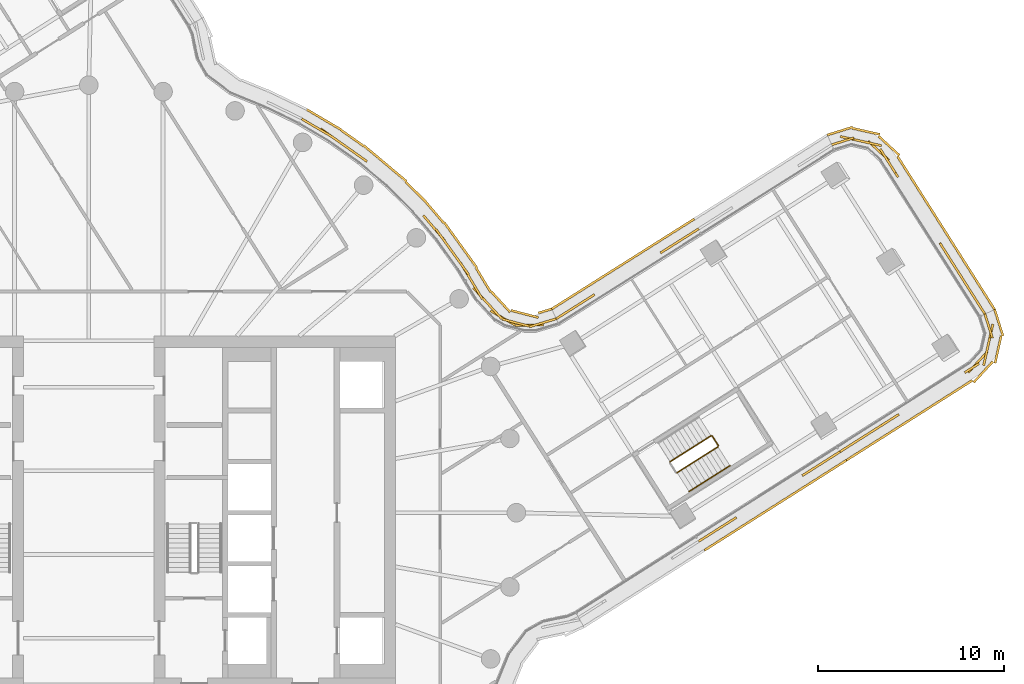
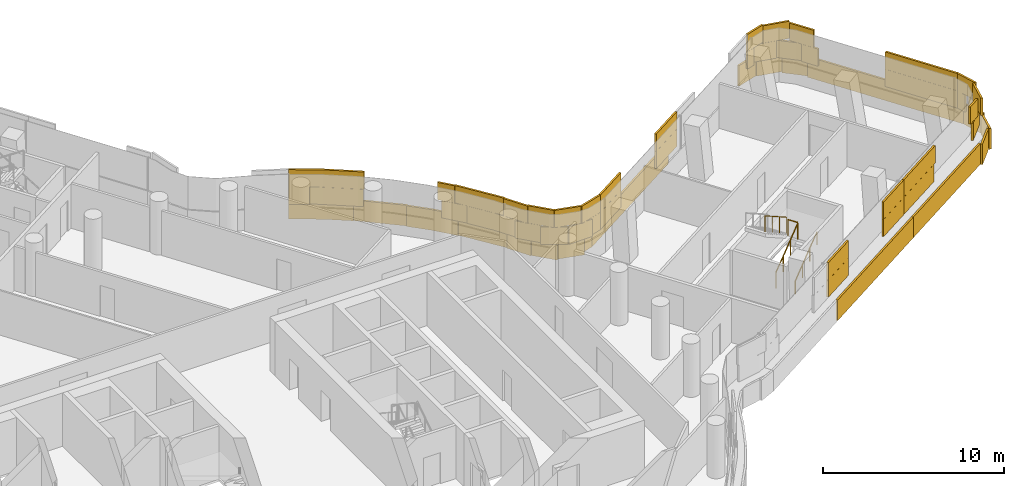
# One storey, part 34 of 36: 5 coverings, 4 railings.
"""IFC4 building model written with IfcOpenShell, lengths in metres."""

from ifc_helpers import new_model, si_unit, direction, frame, origin, origin_2d, place, context, subcontext, project, spatial, rectangle, circle, extrude, material, layer, layer_set, type_object, element, save


model = new_model("IFC4")

# Units and contexts
model_context = context("Model", 3, precision=1e-05, world=origin(), true_north=direction((0.0, 1.0)))
body_context = subcontext(model_context, "Body", "Model", "MODEL_VIEW")
ifc_project = project(units=[si_unit("LENGTHUNIT", "METRE"), si_unit("AREAUNIT", "SQUARE_METRE"), si_unit("VOLUMEUNIT", "CUBIC_METRE"), si_unit("PLANEANGLEUNIT", "RADIAN"), si_unit("MASSUNIT", "GRAM", prefix="KILO")], contexts=[model_context])

# Site, building, storey
site_placement = place(None, origin())
site = spatial("IfcSite", under=ifc_project, at=site_placement, CompositionType="ELEMENT")
building_placement = place(site_placement, origin())
building = spatial("IfcBuilding", under=site, at=building_placement, Name="Tamarind Cross Interchange Tower", CompositionType="ELEMENT")
storey_placement = place(building_placement, frame((0.0, 0.0, 151.75)))
storey = spatial("IfcBuildingStorey", under=building, at=storey_placement, Name="L37", CompositionType="ELEMENT", Elevation=151.75)

# Railings
ifc_material_1 = material(Name="Stair guard")
railing_type_1 = type_object("IfcRailingType", Name="Stair guard", PredefinedType="GUARDRAIL", material=ifc_material_1)
railing_1_placement = place(storey_placement, frame((31.647705078125, 2.15283203125, 0.17041015625)))
element("IfcRailing", 1, at=railing_1_placement, inside=storey, type_object=railing_type_1, Name="L37 ST3 stair guard 1", PredefinedType="GUARDRAIL", context=body_context, shape_type="SweptSolid", body=[
    extrude(circle(Radius=0.02392578125, at=origin_2d()), frame((0.0, 0.0, 1.076171875), z_axis=(0.706212529549, 0.44793019777, 0.548290434928), x_axis=(-0.535617160796, 0.8444609269, 0.0)), (0.0, 0.0, 1.0), 3.10888671875),
    extrude(circle(Radius=0.02099609375, at=origin_2d()), origin(), (0.0, 0.0, 1.0), 1.052001953125),
    extrude(circle(Radius=0.02099609375, at=origin_2d()), frame((0.73193359375, 0.464111328125, 0.568115234375)), (0.0, 0.0, 1.0), 1.052001953125),
    extrude(circle(Radius=0.02099609375, at=origin_2d()), frame((1.463623046875, 0.928466796875, 1.136474609375)), (0.0, 0.0, 1.0), 1.052001953125),
    extrude(circle(Radius=0.02099609375, at=origin_2d()), frame((2.195556640625, 1.392578125, 1.70458984375)), (0.0, 0.0, 1.0), 1.052001953125),
])
railing_2_placement = place(storey_placement, frame((33.858642578125, 3.614501953125, 1.875)))
element("IfcRailing", 2, at=railing_2_placement, inside=storey, type_object=railing_type_1, Name="L37 ST3 stair guard 2", PredefinedType="GUARDRAIL", context=body_context, shape_type="SweptSolid", body=[
    extrude(circle(Radius=0.02392578125, at=origin_2d()), frame((0.0, 0.0, 1.076171875), z_axis=(-0.535584501074, 0.844481641132, 0.0), x_axis=(-0.844481641132, -0.535584501074, 0.0)), (0.0, 0.0, 1.0), 0.599853515625),
    extrude(circle(Radius=0.02099609375, at=origin_2d()), origin(), (0.0, 0.0, 1.0), 1.052001953125),
    extrude(circle(Radius=0.02099609375, at=origin_2d()), frame((-0.3212890625, 0.506591796875, 0.0)), (0.0, 0.0, 1.0), 1.052001953125),
])
railing_3_placement = place(storey_placement, frame((33.46826171875, 4.13671875, 2.04541015625)))
element("IfcRailing", 3, at=railing_3_placement, inside=storey, type_object=railing_type_1, Name="L37 ST3 stair guard 3", PredefinedType="GUARDRAIL", context=body_context, shape_type="SweptSolid", body=[
    extrude(circle(Radius=0.02392578125, at=origin_2d()), frame((0.0, 0.0, 1.076171875), z_axis=(-0.706187687253, -0.447992967394, 0.548271147826), x_axis=(0.535684118618, -0.844418453766, 0.0)), (0.0, 0.0, 1.0), 3.109130859375),
    extrude(circle(Radius=0.02099609375, at=origin_2d()), origin(), (0.0, 0.0, 1.0), 1.052001953125),
    extrude(circle(Radius=0.02099609375, at=origin_2d()), frame((-0.73193359375, -0.46435546875, 0.568115234375)), (0.0, 0.0, 1.0), 1.052001953125),
    extrude(circle(Radius=0.02099609375, at=origin_2d()), frame((-1.463623046875, -0.928466796875, 1.136474609375)), (0.0, 0.0, 1.0), 1.052001953125),
    extrude(circle(Radius=0.02099609375, at=origin_2d()), frame((-2.195556640625, -1.392822265625, 1.70458984375)), (0.0, 0.0, 1.0), 1.052001953125),
])
ifc_material_2 = material(Name="Stair handrail")
railing_type_2 = type_object("IfcRailingType", Name="Stair handrail", PredefinedType="HANDRAIL", material=ifc_material_2)
railing_4_placement = place(storey_placement, frame((32.29052734375, 1.139404296875, 0.17041015625)))
element("IfcRailing", 4, at=railing_4_placement, inside=storey, type_object=railing_type_2, Name="L37 ST3 stair handrail 1", PredefinedType="HANDRAIL", context=body_context, shape_type="SweptSolid", body=[
    extrude(circle(Radius=0.02392578125, at=origin_2d()), frame((0.0, 0.0, 0.8759765625), z_axis=(0.706187687253, 0.447992967394, 0.548271147826), x_axis=(-0.535684118618, 0.844418453766, 0.0)), (0.0, 0.0, 1.0), 3.109130859375),
    extrude(circle(Radius=0.02099609375, at=origin_2d()), origin(), (0.0, 0.0, 1.0), 0.851806640625),
    extrude(circle(Radius=0.02099609375, at=origin_2d()), frame((0.73193359375, 0.46435546875, 0.568115234375)), (0.0, 0.0, 1.0), 0.851806640625),
    extrude(circle(Radius=0.02099609375, at=origin_2d()), frame((1.463623046875, 0.928466796875, 1.136474609375)), (0.0, 0.0, 1.0), 0.851806640625),
    extrude(circle(Radius=0.02099609375, at=origin_2d()), frame((2.195556640625, 1.392822265625, 1.70458984375)), (0.0, 0.0, 1.0), 0.851806640625),
])

# Coverings
ifc_material_3 = material(Name="Terracotta", Category="masonry")
ifc_layer = layer(ifc_material_3, 0.1201171875)
ifc_layer_set = layer_set([ifc_layer], Name="Terracotta")
covering_type = type_object("IfcCoveringType", Name="Terracotta baguette screen unit", PredefinedType="MOLDING", material=ifc_layer_set)
covering_1_placement = place(storey_placement, origin())
element("IfcCovering", 5, at=covering_1_placement, inside=storey, type_object=covering_type, Name="SCR-L37-11-01", PredefinedType="MOLDING", context=body_context, shape_type="SweptSolid", body=[
    extrude(rectangle(XDim=0.61279296875, YDim=0.1201171875, at=origin_2d()), frame((33.060791015625, -1.3798828125, 1.404052734375), z_axis=(0.0, 0.0, 1.0), x_axis=(0.844432651118, 0.535661738157, 0.0)), (0.0, 0.0, 1.0), 1.1669921875),
    extrude(rectangle(XDim=1.52001953125, YDim=0.1201171875, at=origin_2d()), frame((33.94873046875, -0.816650390625, 1.404052734375), z_axis=(0.0, 0.0, 1.0), x_axis=(0.844432651118, 0.535661738157, 0.0)), (0.0, 0.0, 1.0), 1.1669921875),
    extrude(rectangle(XDim=0.310302734375, YDim=0.1201171875, at=origin_2d()), frame((34.708740234375, -0.33447265625, 1.404052734375), z_axis=(0.0, 0.0, 1.0), x_axis=(0.844432651118, 0.535661738157, 0.0)), (0.0, 0.0, 1.0), 1.1669921875),
    extrude(rectangle(XDim=1.509765625, YDim=0.1201171875, at=origin_2d()), frame((39.015380859375, 2.3974609375, 1.404052734375), z_axis=(0.0, 0.0, 1.0), x_axis=(0.844432651118, 0.535661738157, 0.0)), (0.0, 0.0, 1.0), 1.1669921875),
    extrude(rectangle(XDim=0.91357421875, YDim=0.1201171875, at=origin_2d()), frame((40.030029296875, 3.041015625, 1.404052734375), z_axis=(0.0, 0.0, 1.0), x_axis=(0.844432651118, 0.535661738157, 0.0)), (0.0, 0.0, 1.0), 1.1669921875),
    extrude(rectangle(XDim=1.36279296875, YDim=0.1201171875, at=origin_2d()), frame((33.37744140625, -1.178955078125, 2.5791015625), z_axis=(0.0, 0.0, 1.0), x_axis=(0.844432651118, 0.535661738157, 0.0)), (0.0, 0.0, 1.0), 1.1669921875),
    extrude(rectangle(XDim=1.060302734375, YDim=0.1201171875, at=origin_2d()), frame((34.39208984375, -0.535400390625, 2.5791015625), z_axis=(0.0, 0.0, 1.0), x_axis=(0.844432651118, 0.535661738157, 0.0)), (0.0, 0.0, 1.0), 1.1669921875),
    extrude(rectangle(XDim=0.759765625, YDim=0.1201171875, at=origin_2d()), frame((38.69873046875, 2.196533203125, 2.5791015625), z_axis=(0.0, 0.0, 1.0), x_axis=(0.844432651118, 0.535661738157, 0.0)), (0.0, 0.0, 1.0), 1.1669921875),
    extrude(rectangle(XDim=1.52001953125, YDim=0.1201171875, at=origin_2d()), frame((39.6484375, 2.799072265625, 2.5791015625), z_axis=(0.0, 0.0, 1.0), x_axis=(0.844432651118, 0.535661738157, 0.0)), (0.0, 0.0, 1.0), 1.1669921875),
    extrude(rectangle(XDim=0.16357421875, YDim=0.1201171875, at=origin_2d()), frame((40.3466796875, 3.241943359375, 2.5791015625), z_axis=(0.0, 0.0, 1.0), x_axis=(0.844432651118, 0.535661738157, 0.0)), (0.0, 0.0, 1.0), 1.1669921875),
    extrude(rectangle(XDim=0.578369140625, YDim=0.1201171875, at=origin_2d()), frame((33.355224609375, -1.872802734375, 0.00390625), z_axis=(0.0, 0.0, 1.0), x_axis=(0.844432651118, 0.535661738157, 0.0)), (0.0, 0.0, 1.0), 1.39208984375),
    extrude(rectangle(XDim=1.52001953125, YDim=0.1201171875, at=origin_2d()), frame((34.224365234375, -1.321533203125, 0.00390625), z_axis=(0.0, 0.0, 1.0), x_axis=(0.844432651118, 0.535661738157, 0.0)), (0.0, 0.0, 1.0), 1.39208984375),
    extrude(rectangle(XDim=1.52001953125, YDim=0.1201171875, at=origin_2d()), frame((35.490966796875, -0.51806640625, 0.00390625), z_axis=(0.0, 0.0, 1.0), x_axis=(0.844432651118, 0.535661738157, 0.0)), (0.0, 0.0, 1.0), 1.39208984375),
    extrude(rectangle(XDim=1.52001953125, YDim=0.1201171875, at=origin_2d()), frame((36.757568359375, 0.285400390625, 0.00390625), z_axis=(0.0, 0.0, 1.0), x_axis=(0.844432651118, 0.535661738157, 0.0)), (0.0, 0.0, 1.0), 1.39208984375),
    extrude(rectangle(XDim=1.52001953125, YDim=0.1201171875, at=origin_2d()), frame((38.024169921875, 1.089111328125, 0.00390625), z_axis=(0.0, 0.0, 1.0), x_axis=(0.844432651118, 0.535661738157, 0.0)), (0.0, 0.0, 1.0), 1.39208984375),
    extrude(rectangle(XDim=1.52001953125, YDim=0.1201171875, at=origin_2d()), frame((39.291015625, 1.892578125, 0.00390625), z_axis=(0.0, 0.0, 1.0), x_axis=(0.844432651118, 0.535661738157, 0.0)), (0.0, 0.0, 1.0), 1.39208984375),
    extrude(rectangle(XDim=0.988525390625, YDim=0.1201171875, at=origin_2d()), frame((40.333251953125, 2.5537109375, 0.00390625), z_axis=(0.0, 0.0, 1.0), x_axis=(0.844432651118, 0.535661738157, 0.0)), (0.0, 0.0, 1.0), 1.39208984375),
])
covering_2_placement = place(storey_placement, origin())
element("IfcCovering", 6, at=covering_2_placement, inside=storey, type_object=covering_type, Name="SCR-L37-11-02", PredefinedType="MOLDING", context=body_context, shape_type="SweptSolid", body=[
    extrude(rectangle(XDim=0.6064453125, YDim=0.1201171875, at=origin_2d()), frame((40.663330078125, 3.44287109375, 1.404052734375), z_axis=(0.0, 0.0, 1.0), x_axis=(0.844432651118, 0.535661738157, 0.0)), (0.0, 0.0, 1.0), 1.1669921875),
    extrude(rectangle(XDim=1.52001953125, YDim=0.1201171875, at=origin_2d()), frame((41.548583984375, 4.00439453125, 1.404052734375), z_axis=(0.0, 0.0, 1.0), x_axis=(0.844432651118, 0.535661738157, 0.0)), (0.0, 0.0, 1.0), 1.1669921875),
    extrude(rectangle(XDim=1.52001953125, YDim=0.1201171875, at=origin_2d()), frame((42.815185546875, 4.807861328125, 1.404052734375), z_axis=(0.0, 0.0, 1.0), x_axis=(0.844432651118, 0.535661738157, 0.0)), (0.0, 0.0, 1.0), 1.1669921875),
    extrude(rectangle(XDim=1.52001953125, YDim=0.1201171875, at=origin_2d()), frame((47.818115234375, 8.09814453125, 1.404052734375), z_axis=(0.0, 0.0, 1.0), x_axis=(0.677019846709, 0.735964759457, 0.0)), (0.0, 0.0, 1.0), 1.1669921875),
    extrude(rectangle(XDim=1.52001953125, YDim=0.1201171875, at=origin_2d()), frame((48.462158203125, 9.396240234375, 1.404052734375), z_axis=(0.0, 0.0, 1.0), x_axis=(0.218334006388, 0.975874101334, 0.0)), (0.0, 0.0, 1.0), 1.1669921875),
    extrude(rectangle(XDim=0.605224609375, YDim=0.1201171875, at=origin_2d()), frame((48.290771484375, 10.40185546875, 1.404052734375), z_axis=(0.0, 0.0, 1.0), x_axis=(-0.298854254625, 0.954298765844, 0.0)), (0.0, 0.0, 1.0), 1.1669921875),
    extrude(rectangle(XDim=1.3564453125, YDim=0.1201171875, at=origin_2d()), frame((40.97998046875, 3.643798828125, 2.5791015625), z_axis=(0.0, 0.0, 1.0), x_axis=(0.844432651118, 0.535661738157, 0.0)), (0.0, 0.0, 1.0), 1.1669921875),
    extrude(rectangle(XDim=1.52001953125, YDim=0.1201171875, at=origin_2d()), frame((42.181884765625, 4.406005859375, 2.5791015625), z_axis=(0.0, 0.0, 1.0), x_axis=(0.844432651118, 0.535661738157, 0.0)), (0.0, 0.0, 1.0), 1.1669921875),
    extrude(rectangle(XDim=0.909423828125, YDim=0.1201171875, at=origin_2d()), frame((43.19482421875, 5.048583984375, 2.5791015625), z_axis=(0.0, 0.0, 1.0), x_axis=(0.844432651118, 0.535661738157, 0.0)), (0.0, 0.0, 1.0), 1.1669921875),
    extrude(rectangle(XDim=0.91064453125, YDim=0.1201171875, at=origin_2d()), frame((47.50146484375, 7.780517578125, 2.5791015625), z_axis=(0.0, 0.0, 1.0), x_axis=(0.844432651118, 0.535661738157, 0.0)), (0.0, 0.0, 1.0), 1.1669921875),
    extrude(rectangle(XDim=1.52001953125, YDim=0.1201171875, at=origin_2d()), frame((48.29833984375, 8.664306640625, 2.5791015625), z_axis=(0.0, 0.0, 1.0), x_axis=(0.218334006388, 0.975874101334, 0.0)), (0.0, 0.0, 1.0), 1.1669921875),
    extrude(rectangle(XDim=1.355224609375, YDim=0.1201171875, at=origin_2d()), frame((48.40283203125, 10.0439453125, 2.5791015625), z_axis=(0.0, 0.0, 1.0), x_axis=(-0.298854254625, 0.954298765844, 0.0)), (0.0, 0.0, 1.0), 1.1669921875),
    extrude(rectangle(XDim=0.531494140625, YDim=0.1201171875, at=origin_2d()), frame((40.974853515625, 2.960693359375, 0.00390625), z_axis=(0.0, 0.0, 1.0), x_axis=(0.844432651118, 0.535661738157, 0.0)), (0.0, 0.0, 1.0), 1.39208984375),
    extrude(rectangle(XDim=1.52001953125, YDim=0.1201171875, at=origin_2d()), frame((41.82421875, 3.49951171875, 0.00390625), z_axis=(0.0, 0.0, 1.0), x_axis=(0.844432651118, 0.535661738157, 0.0)), (0.0, 0.0, 1.0), 1.39208984375),
    extrude(rectangle(XDim=1.52001953125, YDim=0.1201171875, at=origin_2d()), frame((43.0908203125, 4.302978515625, 0.00390625), z_axis=(0.0, 0.0, 1.0), x_axis=(0.844432651118, 0.535661738157, 0.0)), (0.0, 0.0, 1.0), 1.39208984375),
    extrude(rectangle(XDim=1.52001953125, YDim=0.1201171875, at=origin_2d()), frame((44.357421875, 5.1064453125, 0.00390625), z_axis=(0.0, 0.0, 1.0), x_axis=(0.844432651118, 0.535661738157, 0.0)), (0.0, 0.0, 1.0), 1.39208984375),
    extrude(rectangle(XDim=1.52001953125, YDim=0.1201171875, at=origin_2d()), frame((45.624267578125, 5.909912109375, 0.00390625), z_axis=(0.0, 0.0, 1.0), x_axis=(0.844432651118, 0.535661738157, 0.0)), (0.0, 0.0, 1.0), 1.39208984375),
    extrude(rectangle(XDim=1.52001953125, YDim=0.1201171875, at=origin_2d()), frame((46.890869140625, 6.71337890625, 0.00390625), z_axis=(0.0, 0.0, 1.0), x_axis=(0.844432651118, 0.535661738157, 0.0)), (0.0, 0.0, 1.0), 1.39208984375),
    extrude(rectangle(XDim=1.52001953125, YDim=0.1201171875, at=origin_2d()), frame((48.112548828125, 7.570556640625, 0.00390625), z_axis=(0.0, 0.0, 1.0), x_axis=(0.677019846709, 0.735964759457, 0.0)), (0.0, 0.0, 1.0), 1.39208984375),
    extrude(rectangle(XDim=1.52001953125, YDim=0.1201171875, at=origin_2d()), frame((48.9140625, 8.78662109375, 0.00390625), z_axis=(0.0, 0.0, 1.0), x_axis=(0.218334006388, 0.975874101334, 0.0)), (0.0, 0.0, 1.0), 1.39208984375),
    extrude(rectangle(XDim=1.484619140625, YDim=0.1201171875, at=origin_2d()), frame((48.948974609375, 10.22119140625, 0.00390625), z_axis=(0.0, 0.0, 1.0), x_axis=(-0.298854254625, 0.954298765844, 0.0)), (0.0, 0.0, 1.0), 1.39208984375),
])
covering_3_placement = place(storey_placement, origin())
element("IfcCovering", 7, at=covering_3_placement, inside=storey, type_object=covering_type, Name="SCR-L37-12-00", PredefinedType="MOLDING", context=body_context, shape_type="SweptSolid", body=[
    extrude(rectangle(XDim=0.760009765625, YDim=0.1201171875, at=origin_2d()), frame((48.0009765625, 11.00244140625, 1.404052734375), z_axis=(0.0, 0.0, 1.0), x_axis=(-0.535661738157, 0.844432651118, 0.0)), (0.0, 0.0, 1.0), 1.1669921875),
    extrude(rectangle(XDim=1.52001953125, YDim=0.1201171875, at=origin_2d()), frame((47.3984375, 11.952392578125, 1.404052734375), z_axis=(0.0, 0.0, 1.0), x_axis=(-0.535661738157, 0.844432651118, 0.0)), (0.0, 0.0, 1.0), 1.1669921875),
    extrude(rectangle(XDim=1.52001953125, YDim=0.1201171875, at=origin_2d()), frame((46.594970703125, 13.21923828125, 1.404052734375), z_axis=(0.0, 0.0, 1.0), x_axis=(-0.535661738157, 0.844432651118, 0.0)), (0.0, 0.0, 1.0), 1.1669921875),
    extrude(rectangle(XDim=0.784912109375, YDim=0.1201171875, at=origin_2d()), frame((45.985595703125, 14.1796875, 1.404052734375), z_axis=(0.0, 0.0, 1.0), x_axis=(-0.535661738157, 0.844432651118, 0.0)), (0.0, 0.0, 1.0), 1.1669921875),
    extrude(rectangle(XDim=1.03515625, YDim=0.1201171875, at=origin_2d()), frame((43.253662109375, 18.486328125, 1.404052734375), z_axis=(0.0, 0.0, 1.0), x_axis=(-0.535661738157, 0.844432651118, 0.0)), (0.0, 0.0, 1.0), 1.1669921875),
    extrude(rectangle(XDim=1.52001953125, YDim=0.1201171875, at=origin_2d()), frame((42.48193359375, 19.47265625, 1.404052734375), z_axis=(0.0, 0.0, 1.0), x_axis=(-0.735964759457, 0.677019846709, 0.0)), (0.0, 0.0, 1.0), 1.1669921875),
    extrude(rectangle(XDim=1.52001953125, YDim=0.1201171875, at=origin_2d()), frame((41.160888671875, 20.072998046875, 1.404052734375), z_axis=(0.0, 0.0, 1.0), x_axis=(-0.975874101334, 0.218334006388, 0.0)), (0.0, 0.0, 1.0), 1.1669921875),
    extrude(rectangle(XDim=0.509521484375, YDim=0.1201171875, at=origin_2d()), frame((40.202880859375, 19.866455078125, 1.404052734375), z_axis=(0.0, 0.0, 1.0), x_axis=(-0.954298765844, -0.298854254625, 0.0)), (0.0, 0.0, 1.0), 1.1669921875),
    extrude(rectangle(XDim=1.510009765625, YDim=0.1201171875, at=origin_2d()), frame((47.800048828125, 11.319091796875, 2.5791015625), z_axis=(0.0, 0.0, 1.0), x_axis=(-0.535661738157, 0.844432651118, 0.0)), (0.0, 0.0, 1.0), 1.1669921875),
    extrude(rectangle(XDim=1.52001953125, YDim=0.1201171875, at=origin_2d()), frame((46.99658203125, 12.5859375, 2.5791015625), z_axis=(0.0, 0.0, 1.0), x_axis=(-0.535661738157, 0.844432651118, 0.0)), (0.0, 0.0, 1.0), 1.1669921875),
    extrude(rectangle(XDim=1.52001953125, YDim=0.1201171875, at=origin_2d()), frame((46.193115234375, 13.8525390625, 2.5791015625), z_axis=(0.0, 0.0, 1.0), x_axis=(-0.535661738157, 0.844432651118, 0.0)), (0.0, 0.0, 1.0), 1.1669921875),
    extrude(rectangle(XDim=1.52001953125, YDim=0.1201171875, at=origin_2d()), frame((42.979248046875, 18.919189453125, 2.5791015625), z_axis=(0.0, 0.0, 1.0), x_axis=(-0.535661738157, 0.844432651118, 0.0)), (0.0, 0.0, 1.0), 1.1669921875),
    extrude(rectangle(XDim=1.52001953125, YDim=0.1201171875, at=origin_2d()), frame((41.892822265625, 19.909423828125, 2.5791015625), z_axis=(0.0, 0.0, 1.0), x_axis=(-0.975874101334, 0.218334006388, 0.0)), (0.0, 0.0, 1.0), 1.1669921875),
    extrude(rectangle(XDim=1.259521484375, YDim=0.1201171875, at=origin_2d()), frame((40.560791015625, 19.978515625, 2.5791015625), z_axis=(0.0, 0.0, 1.0), x_axis=(-0.954298765844, -0.298854254625, 0.0)), (0.0, 0.0, 1.0), 1.1669921875),
    extrude(rectangle(XDim=0.760009765625, YDim=0.1201171875, at=origin_2d()), frame((48.5234375, 11.25048828125, 0.00390625), z_axis=(0.0, 0.0, 1.0), x_axis=(-0.535661738157, 0.844432651118, 0.0)), (0.0, 0.0, 1.0), 1.39208984375),
    extrude(rectangle(XDim=1.52001953125, YDim=0.1201171875, at=origin_2d()), frame((47.923583984375, 12.1962890625, 0.00390625), z_axis=(0.0, 0.0, 1.0), x_axis=(-0.535661738157, 0.844432651118, 0.0)), (0.0, 0.0, 1.0), 1.39208984375),
    extrude(rectangle(XDim=1.52001953125, YDim=0.1201171875, at=origin_2d()), frame((47.1201171875, 13.462890625, 0.00390625), z_axis=(0.0, 0.0, 1.0), x_axis=(-0.535661738157, 0.844432651118, 0.0)), (0.0, 0.0, 1.0), 1.39208984375),
    extrude(rectangle(XDim=1.52001953125, YDim=0.1201171875, at=origin_2d()), frame((46.316650390625, 14.7294921875, 0.00390625), z_axis=(0.0, 0.0, 1.0), x_axis=(-0.535661738157, 0.844432651118, 0.0)), (0.0, 0.0, 1.0), 1.39208984375),
    extrude(rectangle(XDim=1.52001953125, YDim=0.1201171875, at=origin_2d()), frame((45.51318359375, 15.99609375, 0.00390625), z_axis=(0.0, 0.0, 1.0), x_axis=(-0.535661738157, 0.844432651118, 0.0)), (0.0, 0.0, 1.0), 1.39208984375),
    extrude(rectangle(XDim=1.52001953125, YDim=0.1201171875, at=origin_2d()), frame((44.709716796875, 17.2626953125, 0.00390625), z_axis=(0.0, 0.0, 1.0), x_axis=(-0.535661738157, 0.844432651118, 0.0)), (0.0, 0.0, 1.0), 1.39208984375),
    extrude(rectangle(XDim=1.52001953125, YDim=0.1201171875, at=origin_2d()), frame((43.906005859375, 18.529296875, 0.00390625), z_axis=(0.0, 0.0, 1.0), x_axis=(-0.535661738157, 0.844432651118, 0.0)), (0.0, 0.0, 1.0), 1.39208984375),
    extrude(rectangle(XDim=1.52001953125, YDim=0.1201171875, at=origin_2d()), frame((43.03759765625, 19.74169921875, 0.00390625), z_axis=(0.0, 0.0, 1.0), x_axis=(-0.735964759457, 0.677019846709, 0.0)), (0.0, 0.0, 1.0), 1.39208984375),
    extrude(rectangle(XDim=1.52001953125, YDim=0.1201171875, at=origin_2d()), frame((41.8076171875, 20.5166015625, 0.00390625), z_axis=(0.0, 0.0, 1.0), x_axis=(-0.975874101334, 0.218334006388, 0.0)), (0.0, 0.0, 1.0), 1.39208984375),
    extrude(rectangle(XDim=1.426513671875, YDim=0.1201171875, at=origin_2d()), frame((40.402099609375, 20.530517578125, 0.00390625), z_axis=(0.0, 0.0, 1.0), x_axis=(-0.954298765844, -0.298854254625, 0.0)), (0.0, 0.0, 1.0), 1.39208984375),
])
covering_4_placement = place(storey_placement, origin())
element("IfcCovering", 8, at=covering_4_placement, inside=storey, type_object=covering_type, Name="SCR-L37-13-01", PredefinedType="MOLDING", context=body_context, shape_type="SweptSolid", body=[
    extrude(rectangle(XDim=1.300537109375, YDim=0.1201171875, at=origin_2d()), frame((32.26611328125, 14.93115234375, 1.404052734375), z_axis=(0.0, 0.0, 1.0), x_axis=(-0.845559868241, -0.533880613265, 0.0)), (0.0, 0.0, 1.0), 1.1669921875),
    extrude(rectangle(XDim=1.15478515625, YDim=0.1201171875, at=origin_2d()), frame((31.236328125, 14.281005859375, 1.404052734375), z_axis=(0.0, 0.0, 1.0), x_axis=(-0.845559868241, -0.533880613265, 0.0)), (0.0, 0.0, 1.0), 1.1669921875),
    extrude(rectangle(XDim=0.665283203125, YDim=0.1201171875, at=origin_2d()), frame((26.924072265625, 11.55810546875, 1.404052734375), z_axis=(0.0, 0.0, 1.0), x_axis=(-0.845559868241, -0.533880613265, 0.0)), (0.0, 0.0, 1.0), 1.1669921875),
    extrude(rectangle(XDim=1.52001953125, YDim=0.1201171875, at=origin_2d()), frame((26.012939453125, 10.98291015625, 1.404052734375), z_axis=(0.0, 0.0, 1.0), x_axis=(-0.845559868241, -0.533880613265, 0.0)), (0.0, 0.0, 1.0), 1.1669921875),
    extrude(rectangle(XDim=0.2900390625, YDim=0.1201171875, at=origin_2d()), frame((25.26025390625, 10.5078125, 1.404052734375), z_axis=(0.0, 0.0, 1.0), x_axis=(-0.845559868241, -0.533880613265, 0.0)), (0.0, 0.0, 1.0), 1.1669921875),
    extrude(rectangle(XDim=0.550537109375, YDim=0.1201171875, at=origin_2d()), frame((32.5830078125, 15.13134765625, 2.5791015625), z_axis=(0.0, 0.0, 1.0), x_axis=(-0.845559868241, -0.533880613265, 0.0)), (0.0, 0.0, 1.0), 1.1669921875),
    extrude(rectangle(XDim=1.52001953125, YDim=0.1201171875, at=origin_2d()), frame((31.720458984375, 14.586669921875, 2.5791015625), z_axis=(0.0, 0.0, 1.0), x_axis=(-0.845559868241, -0.533880613265, 0.0)), (0.0, 0.0, 1.0), 1.1669921875),
    extrude(rectangle(XDim=0.40478515625, YDim=0.1201171875, at=origin_2d()), frame((30.91943359375, 14.080810546875, 2.5791015625), z_axis=(0.0, 0.0, 1.0), x_axis=(-0.845559868241, -0.533880613265, 0.0)), (0.0, 0.0, 1.0), 1.1669921875),
    extrude(rectangle(XDim=1.415283203125, YDim=0.1201171875, at=origin_2d()), frame((26.60693359375, 11.35791015625, 2.5791015625), z_axis=(0.0, 0.0, 1.0), x_axis=(-0.845559868241, -0.533880613265, 0.0)), (0.0, 0.0, 1.0), 1.1669921875),
    extrude(rectangle(XDim=1.0400390625, YDim=0.1201171875, at=origin_2d()), frame((25.577392578125, 10.7080078125, 2.5791015625), z_axis=(0.0, 0.0, 1.0), x_axis=(-0.845559868241, -0.533880613265, 0.0)), (0.0, 0.0, 1.0), 1.1669921875),
    extrude(rectangle(XDim=1.30224609375, YDim=0.1201171875, at=origin_2d()), frame((32.01953125, 15.4541015625, 0.00390625), z_axis=(0.0, 0.0, 1.0), x_axis=(-0.845559868241, -0.533880613265, 0.0)), (0.0, 0.0, 1.0), 1.39208984375),
    extrude(rectangle(XDim=1.52001953125, YDim=0.1201171875, at=origin_2d()), frame((30.84326171875, 14.71142578125, 0.00390625), z_axis=(0.0, 0.0, 1.0), x_axis=(-0.845559868241, -0.533880613265, 0.0)), (0.0, 0.0, 1.0), 1.39208984375),
    extrude(rectangle(XDim=1.52001953125, YDim=0.1201171875, at=origin_2d()), frame((29.57470703125, 13.91064453125, 0.00390625), z_axis=(0.0, 0.0, 1.0), x_axis=(-0.845559868241, -0.533880613265, 0.0)), (0.0, 0.0, 1.0), 1.39208984375),
    extrude(rectangle(XDim=1.52001953125, YDim=0.1201171875, at=origin_2d()), frame((28.306396484375, 13.10986328125, 0.00390625), z_axis=(0.0, 0.0, 1.0), x_axis=(-0.845559868241, -0.533880613265, 0.0)), (0.0, 0.0, 1.0), 1.39208984375),
    extrude(rectangle(XDim=1.52001953125, YDim=0.1201171875, at=origin_2d()), frame((27.0380859375, 12.30908203125, 0.00390625), z_axis=(0.0, 0.0, 1.0), x_axis=(-0.845559868241, -0.533880613265, 0.0)), (0.0, 0.0, 1.0), 1.39208984375),
    extrude(rectangle(XDim=1.52001953125, YDim=0.1201171875, at=origin_2d()), frame((25.769775390625, 11.50830078125, 0.00390625), z_axis=(0.0, 0.0, 1.0), x_axis=(-0.845559868241, -0.533880613265, 0.0)), (0.0, 0.0, 1.0), 1.39208984375),
    extrude(rectangle(XDim=0.28662109375, YDim=0.1201171875, at=origin_2d()), frame((25.02294921875, 11.03662109375, 0.00390625), z_axis=(0.0, 0.0, 1.0), x_axis=(-0.845559868241, -0.533880613265, 0.0)), (0.0, 0.0, 1.0), 1.39208984375),
])
covering_5_placement = place(storey_placement, origin())
element("IfcCovering", 9, at=covering_5_placement, inside=storey, type_object=covering_type, Name="SCR-L37-14-00", PredefinedType="MOLDING", context=body_context, shape_type="SweptSolid", body=[
    extrude(rectangle(XDim=0.760009765625, YDim=0.1201171875, at=origin_2d()), frame((24.78271484375, 10.324951171875, 1.404052734375), z_axis=(0.0, 0.0, 1.0), x_axis=(-0.957684417312, -0.28782035515, 0.0)), (0.0, 0.0, 1.0), 1.1669921875),
    extrude(rectangle(XDim=1.52001953125, YDim=0.1201171875, at=origin_2d()), frame((23.692138671875, 10.08642578125, 1.404052734375), z_axis=(0.0, 0.0, 1.0), x_axis=(-0.999826857432, -0.018607932669, 0.0)), (0.0, 0.0, 1.0), 1.1669921875),
    extrude(rectangle(XDim=1.52001953125, YDim=0.1201171875, at=origin_2d()), frame((22.26220703125, 10.48095703125, 1.404052734375), z_axis=(0.0, 0.0, 1.0), x_axis=(-0.863779536293, 0.503869936275, 0.0)), (0.0, 0.0, 1.0), 1.1669921875),
    extrude(rectangle(XDim=1.52001953125, YDim=0.1201171875, at=origin_2d()), frame((21.203369140625, 11.53076171875, 1.404052734375), z_axis=(0.0, 0.0, 1.0), x_axis=(-0.676351311296, 0.736579190385, 0.0)), (0.0, 0.0, 1.0), 1.1669921875),
    extrude(rectangle(XDim=1.52001953125, YDim=0.1201171875, at=origin_2d()), frame((20.391845703125, 12.78759765625, 1.404052734375), z_axis=(0.0, 0.0, 1.0), x_axis=(-0.515900752568, 0.856648360472, 0.0)), (0.0, 0.0, 1.0), 1.1669921875),
    extrude(rectangle(XDim=1.52001953125, YDim=0.1201171875, at=origin_2d()), frame((19.552978515625, 14.029541015625, 1.404052734375), z_axis=(0.0, 0.0, 1.0), x_axis=(-0.584573890505, 0.811340475102, 0.0)), (0.0, 0.0, 1.0), 1.1669921875),
    extrude(rectangle(XDim=1.52001953125, YDim=0.1201171875, at=origin_2d()), frame((18.646240234375, 15.223388671875, 1.404052734375), z_axis=(0.0, 0.0, 1.0), x_axis=(-0.64957723968, 0.760295606781, 0.0)), (0.0, 0.0, 1.0), 1.1669921875),
    extrude(rectangle(XDim=1.52001953125, YDim=0.1201171875, at=origin_2d()), frame((14.31591796875, 19.35107421875, 1.404052734375), z_axis=(0.0, 0.0, 1.0), x_axis=(-0.816341886298, 0.577568978284, 0.0)), (0.0, 0.0, 1.0), 1.1669921875),
    extrude(rectangle(XDim=1.52001953125, YDim=0.1201171875, at=origin_2d()), frame((13.09130859375, 20.21728515625, 1.404052734375), z_axis=(0.0, 0.0, 1.0), x_axis=(-0.816341886298, 0.577568978284, 0.0)), (0.0, 0.0, 1.0), 1.1669921875),
    extrude(rectangle(XDim=1.158203125, YDim=0.1201171875, at=origin_2d()), frame((11.951416015625, 20.890625, 1.404052734375), z_axis=(0.0, 0.0, 1.0), x_axis=(-0.861248933065, 0.508183308752, 0.0)), (0.0, 0.0, 1.0), 1.1669921875),
    extrude(rectangle(XDim=1.510009765625, YDim=0.1201171875, at=origin_2d()), frame((24.423583984375, 10.217041015625, 2.5791015625), z_axis=(0.0, 0.0, 1.0), x_axis=(-0.957684417312, -0.28782035515, 0.0)), (0.0, 0.0, 1.0), 1.1669921875),
    extrude(rectangle(XDim=1.52001953125, YDim=0.1201171875, at=origin_2d()), frame((22.960205078125, 10.224609375, 2.5791015625), z_axis=(0.0, 0.0, 1.0), x_axis=(-0.967730839938, 0.251986153257, 0.0)), (0.0, 0.0, 1.0), 1.1669921875),
    extrude(rectangle(XDim=1.52001953125, YDim=0.1201171875, at=origin_2d()), frame((21.71044921875, 10.978271484375, 2.5791015625), z_axis=(0.0, 0.0, 1.0), x_axis=(-0.676351311296, 0.736579190385, 0.0)), (0.0, 0.0, 1.0), 1.1669921875),
    extrude(rectangle(XDim=1.52001953125, YDim=0.1201171875, at=origin_2d()), frame((20.77880859375, 12.14501953125, 2.5791015625), z_axis=(0.0, 0.0, 1.0), x_axis=(-0.515900752568, 0.856648360472, 0.0)), (0.0, 0.0, 1.0), 1.1669921875),
    extrude(rectangle(XDim=1.52001953125, YDim=0.1201171875, at=origin_2d()), frame((19.991455078125, 13.421142578125, 2.5791015625), z_axis=(0.0, 0.0, 1.0), x_axis=(-0.584573890505, 0.811340475102, 0.0)), (0.0, 0.0, 1.0), 1.1669921875),
    extrude(rectangle(XDim=1.52001953125, YDim=0.1201171875, at=origin_2d()), frame((19.114501953125, 14.63818359375, 2.5791015625), z_axis=(0.0, 0.0, 1.0), x_axis=(-0.584573890505, 0.811340475102, 0.0)), (0.0, 0.0, 1.0), 1.1669921875),
    extrude(rectangle(XDim=1.0185546875, YDim=0.1201171875, at=origin_2d()), frame((18.31884765625, 15.606689453125, 2.5791015625), z_axis=(0.0, 0.0, 1.0), x_axis=(-0.64957723968, 0.760295606781, 0.0)), (0.0, 0.0, 1.0), 1.1669921875),
    extrude(rectangle(XDim=0.801513671875, YDim=0.1201171875, at=origin_2d()), frame((14.638916015625, 19.122314453125, 2.5791015625), z_axis=(0.0, 0.0, 1.0), x_axis=(-0.816341886298, 0.577568978284, 0.0)), (0.0, 0.0, 1.0), 1.1669921875),
    extrude(rectangle(XDim=1.52001953125, YDim=0.1201171875, at=origin_2d()), frame((13.70361328125, 19.7841796875, 2.5791015625), z_axis=(0.0, 0.0, 1.0), x_axis=(-0.816341886298, 0.577568978284, 0.0)), (0.0, 0.0, 1.0), 1.1669921875),
    extrude(rectangle(XDim=1.52001953125, YDim=0.1201171875, at=origin_2d()), frame((12.44580078125, 20.598876953125, 2.5791015625), z_axis=(0.0, 0.0, 1.0), x_axis=(-0.861248933065, 0.508183308752, 0.0)), (0.0, 0.0, 1.0), 1.1669921875),
    extrude(rectangle(XDim=0.408203125, YDim=0.1201171875, at=origin_2d()), frame((11.62841796875, 21.0810546875, 2.5791015625), z_axis=(0.0, 0.0, 1.0), x_axis=(-0.861248933065, 0.508183308752, 0.0)), (0.0, 0.0, 1.0), 1.1669921875),
    extrude(rectangle(XDim=0.760009765625, YDim=0.1201171875, at=origin_2d()), frame((24.537841796875, 10.850830078125, 0.00390625), z_axis=(0.0, 0.0, 1.0), x_axis=(-0.957684417312, -0.28782035515, 0.0)), (0.0, 0.0, 1.0), 1.39208984375),
    extrude(rectangle(XDim=1.52001953125, YDim=0.1201171875, at=origin_2d()), frame((23.44921875, 10.6904296875, 0.00390625), z_axis=(0.0, 0.0, 1.0), x_axis=(-0.967730839938, 0.251986153257, 0.0)), (0.0, 0.0, 1.0), 1.39208984375),
    extrude(rectangle(XDim=1.52001953125, YDim=0.1201171875, at=origin_2d()), frame((22.14990234375, 11.348388671875, 0.00390625), z_axis=(0.0, 0.0, 1.0), x_axis=(-0.676351311296, 0.736579190385, 0.0)), (0.0, 0.0, 1.0), 1.39208984375),
    extrude(rectangle(XDim=1.52001953125, YDim=0.1201171875, at=origin_2d()), frame((21.2236328125, 12.519287109375, 0.00390625), z_axis=(0.0, 0.0, 1.0), x_axis=(-0.515900752568, 0.856648360472, 0.0)), (0.0, 0.0, 1.0), 1.39208984375),
    extrude(rectangle(XDim=1.52001953125, YDim=0.1201171875, at=origin_2d()), frame((20.431396484375, 13.792236328125, 0.00390625), z_axis=(0.0, 0.0, 1.0), x_axis=(-0.584573890505, 0.811340475102, 0.0)), (0.0, 0.0, 1.0), 1.39208984375),
    extrude(rectangle(XDim=1.52001953125, YDim=0.1201171875, at=origin_2d()), frame((19.5546875, 15.00927734375, 0.00390625), z_axis=(0.0, 0.0, 1.0), x_axis=(-0.584573890505, 0.811340475102, 0.0)), (0.0, 0.0, 1.0), 1.39208984375),
    extrude(rectangle(XDim=1.52001953125, YDim=0.1201171875, at=origin_2d()), frame((18.597900390625, 16.16357421875, 0.00390625), z_axis=(0.0, 0.0, 1.0), x_axis=(-0.64957723968, 0.760295606781, 0.0)), (0.0, 0.0, 1.0), 1.39208984375),
    extrude(rectangle(XDim=1.52001953125, YDim=0.1201171875, at=origin_2d()), frame((17.581787109375, 17.26513671875, 0.00390625), z_axis=(0.0, 0.0, 1.0), x_axis=(-0.710143317658, 0.704057148523, 0.0)), (0.0, 0.0, 1.0), 1.39208984375),
    extrude(rectangle(XDim=1.52001953125, YDim=0.1201171875, at=origin_2d()), frame((16.50830078125, 18.31201171875, 0.00390625), z_axis=(0.0, 0.0, 1.0), x_axis=(-0.765858396687, 0.643009266048, 0.0)), (0.0, 0.0, 1.0), 1.39208984375),
    extrude(rectangle(XDim=1.52001953125, YDim=0.1201171875, at=origin_2d()), frame((15.359375, 19.276611328125, 0.00390625), z_axis=(0.0, 0.0, 1.0), x_axis=(-0.765858396687, 0.643009266048, 0.0)), (0.0, 0.0, 1.0), 1.39208984375),
    extrude(rectangle(XDim=1.52001953125, YDim=0.1201171875, at=origin_2d()), frame((14.154541015625, 20.168212890625, 0.00390625), z_axis=(0.0, 0.0, 1.0), x_axis=(-0.816341886298, 0.577568978284, 0.0)), (0.0, 0.0, 1.0), 1.39208984375),
    extrude(rectangle(XDim=1.52001953125, YDim=0.1201171875, at=origin_2d()), frame((12.904296875, 20.994873046875, 0.00390625), z_axis=(0.0, 0.0, 1.0), x_axis=(-0.861248933065, 0.508183308752, 0.0)), (0.0, 0.0, 1.0), 1.39208984375),
    extrude(rectangle(XDim=0.623046875, YDim=0.1201171875, at=origin_2d()), frame((11.99853515625, 21.529296875, 0.00390625), z_axis=(0.0, 0.0, 1.0), x_axis=(-0.861248933065, 0.508183308752, 0.0)), (0.0, 0.0, 1.0), 1.39208984375),
])

save(model, "model.ifc")
